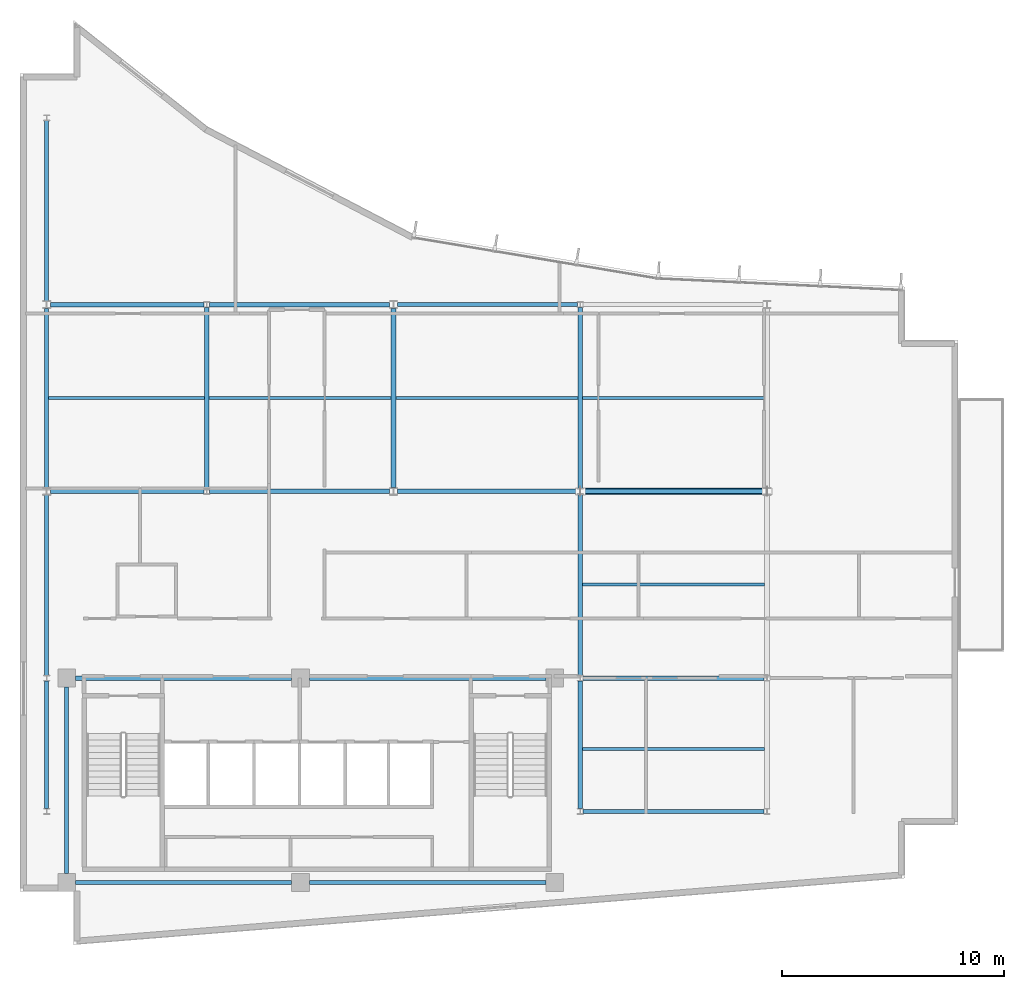
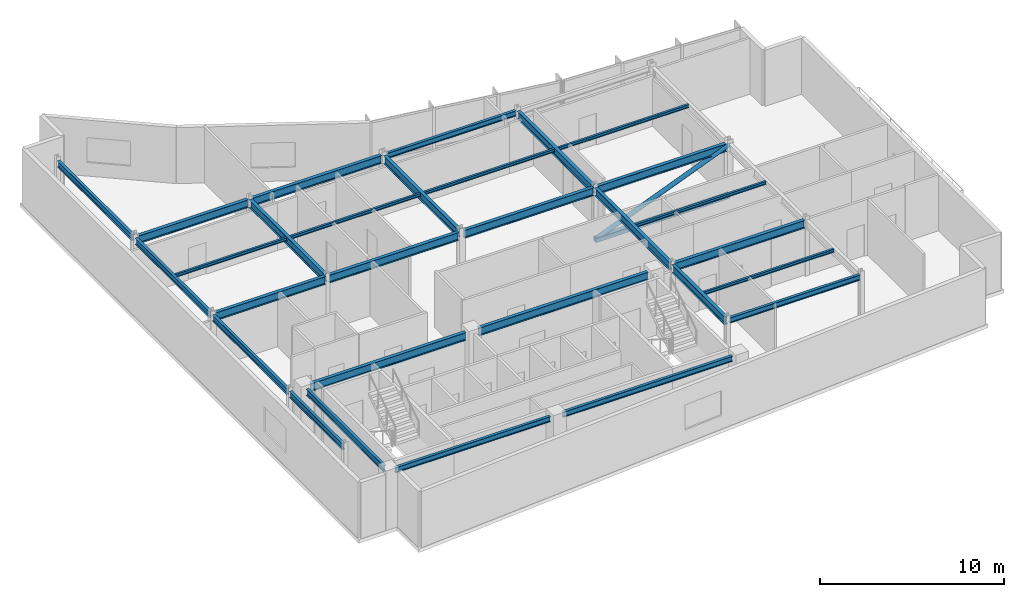
# One storey, part 5 of 17: 29 beams, 2 members.
"""IFC4 building model written with IfcOpenShell, lengths in metres."""

from ifc_helpers import new_model, si_unit, direction, frame, origin, origin_2d, place, context, subcontext, project, spatial, hollow_rectangle, hollow_circle, i_section, extrude, material, material_profile, profile_set, type_object, element, save


model = new_model("IFC4")

# Units and contexts
model_context = context("Model", 3, precision=1e-05, world=origin(), true_north=direction((0.0, 1.0)))
body_context = subcontext(model_context, "Body", "Model", "MODEL_VIEW")
ifc_project = project(units=[si_unit("LENGTHUNIT", "METRE"), si_unit("AREAUNIT", "SQUARE_METRE"), si_unit("VOLUMEUNIT", "CUBIC_METRE"), si_unit("PLANEANGLEUNIT", "RADIAN"), si_unit("MASSUNIT", "GRAM", prefix="KILO")], contexts=[model_context])

# Site, building, storey
site_placement = place(None, origin())
site = spatial("IfcSite", under=ifc_project, at=site_placement, CompositionType="ELEMENT")
building_placement = place(site_placement, origin())
building = spatial("IfcBuilding", under=site, at=building_placement, Name="Varnakote Quay Hospital", CompositionType="ELEMENT")
storey_placement = place(building_placement, frame((0.0, 0.0, 256.550048828125)))
storey = spatial("IfcBuildingStorey", under=building, at=storey_placement, Name="L63", CompositionType="ELEMENT", Elevation=256.550048828125)

# Beams
ifc_material_1 = material(Name="Structural steel AS/NZS 3679.1 Grade 350 L0 (fy 340 MPa)", Category="steel")
ifc_material_profile_1 = material_profile(ifc_material_1, i_section(OverallWidth=0.208984375, OverallDepth=0.528076171875, WebThickness=0.009521484375, FlangeThickness=0.01318359375, FilletRadius=0.013916015625, at=origin_2d()), Name="530UB82.0")
ifc_profile_set_1 = profile_set([ifc_material_profile_1], Name="Structural steel AS/NZS 3679.1 Grade 350 L0 (fy 340 MPa)")
beam_type_1 = type_object("IfcBeamType", Name="BM-STL-530UB82-0", PredefinedType="BEAM", material=ifc_profile_set_1)
beam_1_placement = place(storey_placement, frame((2.5, 12.0, 3.446044921875), z_axis=(1.0, 0.0, 0.0), x_axis=(0.0, 1.0, 0.0)))
element("IfcBeam", 1, at=beam_1_placement, inside=storey, type_object=beam_type_1, Name="L63 Primary Floor Beam", PredefinedType="BEAM", context=body_context, shape_type="SweptSolid", body=[
    extrude(i_section(OverallWidth=0.208984375, OverallDepth=0.528076171875, WebThickness=0.009521484375, FlangeThickness=0.01318359375, FilletRadius=0.013916015625, at=origin_2d()), origin(), (0.0, 0.0, 1.0), 9.719970703125),
])
beam_2_placement = place(storey_placement, frame((13.02001953125, 12.0, 3.446044921875), z_axis=(1.0, 0.0, 0.0), x_axis=(0.0, 1.0, 0.0)))
element("IfcBeam", 2, at=beam_2_placement, inside=storey, type_object=beam_type_1, Name="L63 Primary Floor Beam", PredefinedType="BEAM", context=body_context, shape_type="SweptSolid", body=[
    extrude(i_section(OverallWidth=0.208984375, OverallDepth=0.528076171875, WebThickness=0.009521484375, FlangeThickness=0.01318359375, FilletRadius=0.013916015625, at=origin_2d()), origin(), (0.0, 0.0, 1.0), 10.6298828125),
])
beam_3_placement = place(storey_placement, frame((25.326904296875, 12.0, 3.446044921875), z_axis=(1.0, 0.0, 0.0), x_axis=(0.0, 1.0, 0.0)))
element("IfcBeam", 3, at=beam_3_placement, inside=storey, type_object=beam_type_1, Name="L63 Primary Floor Beam", PredefinedType="BEAM", context=body_context, shape_type="SweptSolid", body=[
    extrude(i_section(OverallWidth=0.208984375, OverallDepth=0.528076171875, WebThickness=0.009521484375, FlangeThickness=0.01318359375, FilletRadius=0.013916015625, at=origin_2d()), origin(), (0.0, 0.0, 1.0), 8.14599609375),
])
beam_4_placement = place(storey_placement, frame((1.375, 20.39990234375, 3.446044921875), z_axis=(1.0, 0.0, 0.0), x_axis=(0.0, 1.0, 0.0)))
element("IfcBeam", 4, at=beam_4_placement, inside=storey, type_object=beam_type_1, Name="L63 Primary Floor Beam", PredefinedType="BEAM", context=body_context, shape_type="SweptSolid", body=[
    extrude(i_section(OverallWidth=0.208984375, OverallDepth=0.528076171875, WebThickness=0.009521484375, FlangeThickness=0.01318359375, FilletRadius=0.013916015625, at=origin_2d()), origin(), (0.0, 0.0, 1.0), 6.89794921875),
])
for number, where, z_axis, x_axis, name in (
    (5, (8.527099609375, 20.39990234375, 3.446044921875), (1.0, 0.0, 0.0), (0.0, 1.0, 0.0), "L63 Primary Floor Beam"),
    (6, (16.97509765625, 20.39990234375, 3.446044921875), (1.0, 0.0, 0.0), (0.0, 1.0, 0.0), "L63 Primary Floor Beam"),
):
    element("IfcBeam", number, at=place(storey_placement, frame(where, z_axis=z_axis, x_axis=x_axis)), inside=storey, type_object=beam_type_1, Name=name, PredefinedType="BEAM", context=body_context, shape_type="SweptSolid", body=[
        extrude(i_section(OverallWidth=0.208984375, OverallDepth=0.528076171875, WebThickness=0.009521484375, FlangeThickness=0.01318359375, FilletRadius=0.013916015625, at=origin_2d()), origin(), (0.0, 0.0, 1.0), 8.097900390625),
    ])
beam_5_placement = place(storey_placement, frame((25.326904296875, 20.39990234375, 3.446044921875), z_axis=(1.0, 0.0, 0.0), x_axis=(0.0, 1.0, 0.0)))
element("IfcBeam", 7, at=beam_5_placement, inside=storey, type_object=beam_type_1, Name="L63 Primary Floor Beam", PredefinedType="BEAM", context=body_context, shape_type="SweptSolid", body=[
    extrude(i_section(OverallWidth=0.208984375, OverallDepth=0.528076171875, WebThickness=0.009521484375, FlangeThickness=0.01318359375, FilletRadius=0.013916015625, at=origin_2d()), origin(), (0.0, 0.0, 1.0), 8.09814453125),
])
beam_6_placement = place(storey_placement, frame((1.375, 28.800048828125, 3.446044921875), z_axis=(1.0, 0.0, 0.0), x_axis=(0.0, 1.0, 0.0)))
element("IfcBeam", 8, at=beam_6_placement, inside=storey, type_object=beam_type_1, Name="L63 Primary Floor Beam", PredefinedType="BEAM", context=body_context, shape_type="SweptSolid", body=[
    extrude(i_section(OverallWidth=0.208984375, OverallDepth=0.528076171875, WebThickness=0.009521484375, FlangeThickness=0.01318359375, FilletRadius=0.013916015625, at=origin_2d()), origin(), (0.0, 0.0, 1.0), 6.89794921875),
])
beam_7_placement = place(storey_placement, frame((8.527099609375, 28.800048828125, 3.446044921875), z_axis=(1.0, 0.0, 0.0), x_axis=(0.0, 1.0, 0.0)))
element("IfcBeam", 9, at=beam_7_placement, inside=storey, type_object=beam_type_1, Name="L63 Primary Floor Beam", PredefinedType="BEAM", context=body_context, shape_type="SweptSolid", body=[
    extrude(i_section(OverallWidth=0.208984375, OverallDepth=0.528076171875, WebThickness=0.009521484375, FlangeThickness=0.01318359375, FilletRadius=0.013916015625, at=origin_2d()), origin(), (0.0, 0.0, 1.0), 8.097900390625),
])
beam_8_placement = place(storey_placement, frame((8.39990234375, 20.527099609375, 3.446044921875), z_axis=(0.0, 1.0, 0.0), x_axis=(-1.0, 0.0, 0.0)))
element("IfcBeam", 10, at=beam_8_placement, inside=storey, type_object=beam_type_1, Name="L63 Primary Tie Beam", PredefinedType="BEAM", context=body_context, shape_type="SweptSolid", body=[
    extrude(i_section(OverallWidth=0.208984375, OverallDepth=0.528076171875, WebThickness=0.009521484375, FlangeThickness=0.01318359375, FilletRadius=0.013916015625, at=origin_2d()), origin(), (0.0, 0.0, 1.0), 8.14599609375),
])
beam_9_placement = place(storey_placement, frame((16.800048828125, 20.570068359375, 3.446044921875), z_axis=(0.0, 1.0, 0.0), x_axis=(-1.0, 0.0, 0.0)))
element("IfcBeam", 11, at=beam_9_placement, inside=storey, type_object=beam_type_1, Name="L63 Primary Tie Beam", PredefinedType="BEAM", context=body_context, shape_type="SweptSolid", body=[
    extrude(i_section(OverallWidth=0.208984375, OverallDepth=0.528076171875, WebThickness=0.009521484375, FlangeThickness=0.01318359375, FilletRadius=0.013916015625, at=origin_2d()), origin(), (0.0, 0.0, 1.0), 8.059814453125),
])
beam_10_placement = place(storey_placement, frame((25.199951171875, 6.126953125, 3.446044921875), z_axis=(0.0, 1.0, 0.0), x_axis=(-1.0, 0.0, 0.0)))
element("IfcBeam", 12, at=beam_10_placement, inside=storey, type_object=beam_type_1, Name="L63 Primary Tie Beam", PredefinedType="BEAM", context=body_context, shape_type="SweptSolid", body=[
    extrude(i_section(OverallWidth=0.208984375, OverallDepth=0.528076171875, WebThickness=0.009521484375, FlangeThickness=0.01318359375, FilletRadius=0.013916015625, at=origin_2d()), origin(), (0.0, 0.0, 1.0), 5.74609375),
])
for number, where, z_axis, x_axis, name in (
    (13, (25.199951171875, 12.126953125, 3.446044921875), (0.0, 1.0, 0.0), (-1.0, 0.0, 0.0), "L63 Primary Tie Beam"),
    (14, (25.199951171875, 20.527099609375, 3.446044921875), (0.0, 1.0, 0.0), (-1.0, 0.0, 0.0), "L63 Primary Tie Beam"),
):
    element("IfcBeam", number, at=place(storey_placement, frame(where, z_axis=z_axis, x_axis=x_axis)), inside=storey, type_object=beam_type_1, Name=name, PredefinedType="BEAM", context=body_context, shape_type="SweptSolid", body=[
        extrude(i_section(OverallWidth=0.208984375, OverallDepth=0.528076171875, WebThickness=0.009521484375, FlangeThickness=0.01318359375, FilletRadius=0.013916015625, at=origin_2d()), origin(), (0.0, 0.0, 1.0), 8.14599609375),
    ])
ifc_material_2 = material(Name="Structural steel AS/NZS 3679.1 Grade 350 L0 (fy 340 MPa)", Category="steel")
ifc_material_profile_2 = material_profile(ifc_material_2, i_section(OverallWidth=0.134033203125, OverallDepth=0.20703125, WebThickness=0.00634765625, FlangeThickness=0.009521484375, FilletRadius=0.0087890625, at=origin_2d()), Name="200UB29.8")
ifc_profile_set_2 = profile_set([ifc_material_profile_2], Name="Structural steel AS/NZS 3679.1 Grade 350 L0 (fy 340 MPa)")
beam_type_2 = type_object("IfcBeamType", Name="JST-STL-200UB29-8", PredefinedType="JOIST", material=ifc_profile_set_2)
for number, where, z_axis, x_axis, name in (
    (15, (25.304443359375, 8.800048828125, 3.6064453125), (1.0, 0.0, 0.0), (0.0, 1.0, 0.0), "L63 Composite Floor Joist"),
    (16, (25.304443359375, 16.199951171875, 3.6064453125), (1.0, 0.0, 0.0), (0.0, 1.0, 0.0), "L63 Composite Floor Joist"),
):
    element("IfcBeam", number, at=place(storey_placement, frame(where, z_axis=z_axis, x_axis=x_axis)), inside=storey, type_object=beam_type_2, Name=name, PredefinedType="JOIST", context=body_context, shape_type="SweptSolid", body=[
        extrude(i_section(OverallWidth=0.134033203125, OverallDepth=0.20703125, WebThickness=0.00634765625, FlangeThickness=0.009521484375, FilletRadius=0.0087890625, at=origin_2d()), origin(), (0.0, 0.0, 1.0), 8.191162109375),
    ])
beam_11_placement = place(storey_placement, frame((1.2890625, 24.60009765625, 3.6064453125), z_axis=(1.0, 0.0, 0.0), x_axis=(0.0, 1.0, 0.0)))
element("IfcBeam", 17, at=beam_11_placement, inside=storey, type_object=beam_type_2, Name="L63 Composite Floor Joist", PredefinedType="JOIST", context=body_context, shape_type="SweptSolid", body=[
    extrude(i_section(OverallWidth=0.134033203125, OverallDepth=0.20703125, WebThickness=0.00634765625, FlangeThickness=0.009521484375, FilletRadius=0.0087890625, at=origin_2d()), origin(), (0.0, 0.0, 1.0), 7.00634765625),
])
beam_12_placement = place(storey_placement, frame((8.50439453125, 24.60009765625, 3.6064453125), z_axis=(1.0, 0.0, 0.0), x_axis=(0.0, 1.0, 0.0)))
element("IfcBeam", 18, at=beam_12_placement, inside=storey, type_object=beam_type_2, Name="L63 Composite Floor Joist", PredefinedType="JOIST", context=body_context, shape_type="SweptSolid", body=[
    extrude(i_section(OverallWidth=0.134033203125, OverallDepth=0.20703125, WebThickness=0.00634765625, FlangeThickness=0.009521484375, FilletRadius=0.0087890625, at=origin_2d()), origin(), (0.0, 0.0, 1.0), 8.191162109375),
])
beam_13_placement = place(storey_placement, frame((16.904541015625, 24.60009765625, 3.6064453125), z_axis=(1.0, 0.0, 0.0), x_axis=(0.0, 1.0, 0.0)))
element("IfcBeam", 19, at=beam_13_placement, inside=storey, type_object=beam_type_2, Name="L63 Composite Floor Joist", PredefinedType="JOIST", context=body_context, shape_type="SweptSolid", body=[
    extrude(i_section(OverallWidth=0.134033203125, OverallDepth=0.20703125, WebThickness=0.00634765625, FlangeThickness=0.009521484375, FilletRadius=0.0087890625, at=origin_2d()), origin(), (0.0, 0.0, 1.0), 8.19091796875),
])
beam_14_placement = place(storey_placement, frame((25.304443359375, 24.60009765625, 3.6064453125), z_axis=(1.0, 0.0, 0.0), x_axis=(0.0, 1.0, 0.0)))
element("IfcBeam", 20, at=beam_14_placement, inside=storey, type_object=beam_type_2, Name="L63 Composite Floor Joist", PredefinedType="JOIST", context=body_context, shape_type="SweptSolid", body=[
    extrude(i_section(OverallWidth=0.134033203125, OverallDepth=0.20703125, WebThickness=0.00634765625, FlangeThickness=0.009521484375, FilletRadius=0.0087890625, at=origin_2d()), origin(), (0.0, 0.0, 1.0), 8.191162109375),
])

# Members
ifc_material_3 = material(Name="Structural steel AS/NZS 1163 Grade 350 C350L0 (fy 350 MPa)", Category="steel")
ifc_material_profile_3 = material_profile(ifc_material_3, hollow_circle(Radius=0.136474609375, WallThickness=0.00927734375, at=origin_2d()), Name="273.1x9.3CHS")
ifc_profile_set_3 = profile_set([ifc_material_profile_3], Name="Structural steel AS/NZS 1163 Grade 350 C350L0 (fy 350 MPa)")
member_type_1 = type_object("IfcMemberType", Name="MBR-BRC-273-1x9-3CHS", PredefinedType="BRACE", material=ifc_profile_set_3)
member_1_placement = place(storey_placement, frame((25.199951171875, 20.39990234375, 0.179931640625), z_axis=(0.928856013057, 0.0, 0.370440962919), x_axis=(0.0, 1.0, 0.0)))
element("IfcMember", 21, at=member_1_placement, inside=storey, type_object=member_type_1, Name="L63 Sawtooth Wedge Transfer Truss Diagonal", PredefinedType="BRACE", context=body_context, shape_type="SweptSolid", body=[
    extrude(hollow_circle(Radius=0.136474609375, WallThickness=0.00927734375, at=origin_2d()), origin(), (0.0, 0.0, 1.0), 9.04345703125),
])
ifc_material_4 = material(Name="Structural steel AS/NZS 1163 Grade 350 C350L0 (fy 350 MPa)", Category="steel")
ifc_material_profile_4 = material_profile(ifc_material_4, hollow_rectangle(XDim=0.300048828125, YDim=0.300048828125, WallThickness=0.01611328125, InnerFilletRadius=0.01611328125, OuterFilletRadius=0.031982421875, at=origin_2d()), Name="300x300x16.0SHS")
ifc_profile_set_4 = profile_set([ifc_material_profile_4], Name="Structural steel AS/NZS 1163 Grade 350 C350L0 (fy 350 MPa)")
member_type_2 = type_object("IfcMemberType", Name="MBR-CHD-300x300x16-0SHS", PredefinedType="CHORD", material=ifc_profile_set_4)
member_2_placement = place(storey_placement, frame((25.199951171875, 20.39990234375, 0.179931640625), z_axis=(1.0, 0.0, 0.0), x_axis=(0.0, 1.0, 0.0)))
element("IfcMember", 22, at=member_2_placement, inside=storey, type_object=member_type_2, Name="L63 Sawtooth Wedge Transfer Truss Chord", PredefinedType="CHORD", context=body_context, shape_type="SweptSolid", body=[
    extrude(hollow_rectangle(XDim=0.300048828125, YDim=0.300048828125, WallThickness=0.01611328125, InnerFilletRadius=0.01611328125, OuterFilletRadius=0.031982421875, at=origin_2d()), origin(), (0.0, 0.0, 1.0), 8.400146484375),
])

# Beams
ifc_material_5 = material(Name="Structural steel AS/NZS 3679.1 Grade 350 L0 (fy 340 MPa)", Category="steel")
ifc_material_profile_5 = material_profile(ifc_material_5, i_section(OverallWidth=0.172119140625, OverallDepth=0.35888671875, WebThickness=0.008056640625, FlangeThickness=0.012939453125, FilletRadius=0.011474609375, at=origin_2d()), Name="360UB56.7")
ifc_profile_set_5 = profile_set([ifc_material_profile_5], Name="Structural steel AS/NZS 3679.1 Grade 350 L0 (fy 340 MPa)")
beam_type_3 = type_object("IfcBeamType", Name="SPN-STL-360UB56-7", PredefinedType="SPANDREL", material=ifc_profile_set_5)
beam_15_placement = place(storey_placement, frame((2.5, 2.800048828125, 3.530517578125), z_axis=(1.0, 0.0, 0.0), x_axis=(0.0, 1.0, 0.0)))
element("IfcBeam", 23, at=beam_15_placement, inside=storey, type_object=beam_type_3, Name="L63 Perimeter Spandrel Beam", PredefinedType="SPANDREL", context=body_context, shape_type="SweptSolid", body=[
    extrude(i_section(OverallWidth=0.172119140625, OverallDepth=0.35888671875, WebThickness=0.008056640625, FlangeThickness=0.012939453125, FilletRadius=0.011474609375, at=origin_2d()), origin(), (0.0, 0.0, 1.0), 9.719970703125),
])
beam_16_placement = place(storey_placement, frame((13.02001953125, 2.800048828125, 3.530517578125), z_axis=(1.0, 0.0, 0.0), x_axis=(0.0, 1.0, 0.0)))
element("IfcBeam", 24, at=beam_16_placement, inside=storey, type_object=beam_type_3, Name="L63 Perimeter Spandrel Beam", PredefinedType="SPANDREL", context=body_context, shape_type="SweptSolid", body=[
    extrude(i_section(OverallWidth=0.172119140625, OverallDepth=0.35888671875, WebThickness=0.008056640625, FlangeThickness=0.012939453125, FilletRadius=0.011474609375, at=origin_2d()), origin(), (0.0, 0.0, 1.0), 10.6298828125),
])
beam_17_placement = place(storey_placement, frame((25.326904296875, 6.0, 3.530517578125), z_axis=(1.0, 0.0, 0.0), x_axis=(0.0, 1.0, 0.0)))
element("IfcBeam", 25, at=beam_17_placement, inside=storey, type_object=beam_type_3, Name="L63 Perimeter Spandrel Beam", PredefinedType="SPANDREL", context=body_context, shape_type="SweptSolid", body=[
    extrude(i_section(OverallWidth=0.172119140625, OverallDepth=0.35888671875, WebThickness=0.008056640625, FlangeThickness=0.012939453125, FilletRadius=0.011474609375, at=origin_2d()), origin(), (0.0, 0.0, 1.0), 8.14599609375),
])
beam_18_placement = place(storey_placement, frame((16.97509765625, 28.800048828125, 3.530517578125), z_axis=(1.0, 0.0, 0.0), x_axis=(0.0, 1.0, 0.0)))
element("IfcBeam", 26, at=beam_18_placement, inside=storey, type_object=beam_type_3, Name="L63 Perimeter Spandrel Beam", PredefinedType="SPANDREL", context=body_context, shape_type="SweptSolid", body=[
    extrude(i_section(OverallWidth=0.172119140625, OverallDepth=0.35888671875, WebThickness=0.008056640625, FlangeThickness=0.012939453125, FilletRadius=0.011474609375, at=origin_2d()), origin(), (0.0, 0.0, 1.0), 8.097900390625),
])
ifc_material_6 = material(Name="Structural steel AS/NZS 3679.1 Grade 350 L0 (fy 340 MPa)", Category="steel")
ifc_material_profile_6 = material_profile(ifc_material_6, i_section(OverallWidth=0.177978515625, OverallDepth=0.403076171875, WebThickness=0.007568359375, FlangeThickness=0.010986328125, FilletRadius=0.011474609375, at=origin_2d()), Name="410UB53.7")
ifc_profile_set_6 = profile_set([ifc_material_profile_6], Name="Structural steel AS/NZS 3679.1 Grade 350 L0 (fy 340 MPa)")
beam_type_4 = type_object("IfcBeamType", Name="SPN-STL-410UB53-7", PredefinedType="SPANDREL", material=ifc_profile_set_6)
beam_19_placement = place(storey_placement, frame((1.199951171875, 6.126953125, 3.508544921875), z_axis=(0.0, 1.0, 0.0), x_axis=(-1.0, 0.0, 0.0)))
element("IfcBeam", 27, at=beam_19_placement, inside=storey, type_object=beam_type_4, Name="L63 Perimeter Spandrel Beam", PredefinedType="SPANDREL", context=body_context, shape_type="SweptSolid", body=[
    extrude(i_section(OverallWidth=0.177978515625, OverallDepth=0.403076171875, WebThickness=0.007568359375, FlangeThickness=0.010986328125, FilletRadius=0.011474609375, at=origin_2d()), origin(), (0.0, 0.0, 1.0), 5.74609375),
])
beam_20_placement = place(storey_placement, frame((1.199951171875, 12.126953125, 3.508544921875), z_axis=(0.0, 1.0, 0.0), x_axis=(-1.0, 0.0, 0.0)))
element("IfcBeam", 28, at=beam_20_placement, inside=storey, type_object=beam_type_4, Name="L63 Perimeter Spandrel Beam", PredefinedType="SPANDREL", context=body_context, shape_type="SweptSolid", body=[
    extrude(i_section(OverallWidth=0.177978515625, OverallDepth=0.403076171875, WebThickness=0.007568359375, FlangeThickness=0.010986328125, FilletRadius=0.011474609375, at=origin_2d()), origin(), (0.0, 0.0, 1.0), 8.10302734375),
])
beam_21_placement = place(storey_placement, frame((1.199951171875, 20.570068359375, 3.508544921875), z_axis=(0.0, 1.0, 0.0), x_axis=(-1.0, 0.0, 0.0)))
element("IfcBeam", 29, at=beam_21_placement, inside=storey, type_object=beam_type_4, Name="L63 Perimeter Spandrel Beam", PredefinedType="SPANDREL", context=body_context, shape_type="SweptSolid", body=[
    extrude(i_section(OverallWidth=0.177978515625, OverallDepth=0.403076171875, WebThickness=0.007568359375, FlangeThickness=0.010986328125, FilletRadius=0.011474609375, at=origin_2d()), origin(), (0.0, 0.0, 1.0), 8.059814453125),
])
beam_22_placement = place(storey_placement, frame((1.199951171875, 28.969970703125, 3.508544921875), z_axis=(0.0, 1.0, 0.0), x_axis=(-1.0, 0.0, 0.0)))
element("IfcBeam", 30, at=beam_22_placement, inside=storey, type_object=beam_type_4, Name="L63 Perimeter Spandrel Beam", PredefinedType="SPANDREL", context=body_context, shape_type="SweptSolid", body=[
    extrude(i_section(OverallWidth=0.177978515625, OverallDepth=0.403076171875, WebThickness=0.007568359375, FlangeThickness=0.010986328125, FilletRadius=0.011474609375, at=origin_2d()), origin(), (0.0, 0.0, 1.0), 8.10302734375),
])
beam_23_placement = place(storey_placement, frame((2.10009765625, 3.199951171875, 3.508544921875), z_axis=(0.0, 1.0, 0.0), x_axis=(-1.0, 0.0, 0.0)))
element("IfcBeam", 31, at=beam_23_placement, inside=storey, type_object=beam_type_4, Name="L63 Perimeter Spandrel Beam", PredefinedType="SPANDREL", context=body_context, shape_type="SweptSolid", body=[
    extrude(i_section(OverallWidth=0.177978515625, OverallDepth=0.403076171875, WebThickness=0.007568359375, FlangeThickness=0.010986328125, FilletRadius=0.011474609375, at=origin_2d()), origin(), (0.0, 0.0, 1.0), 8.400146484375),
])

save(model, "model.ifc")
